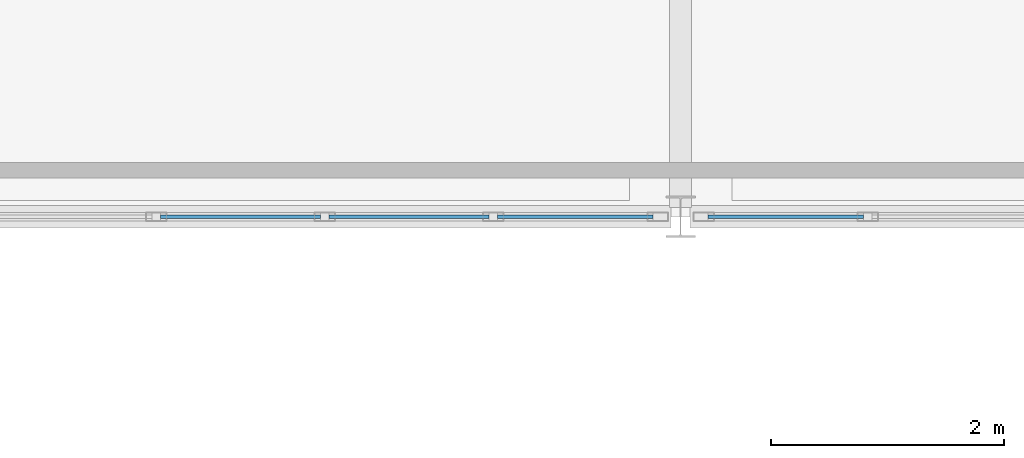
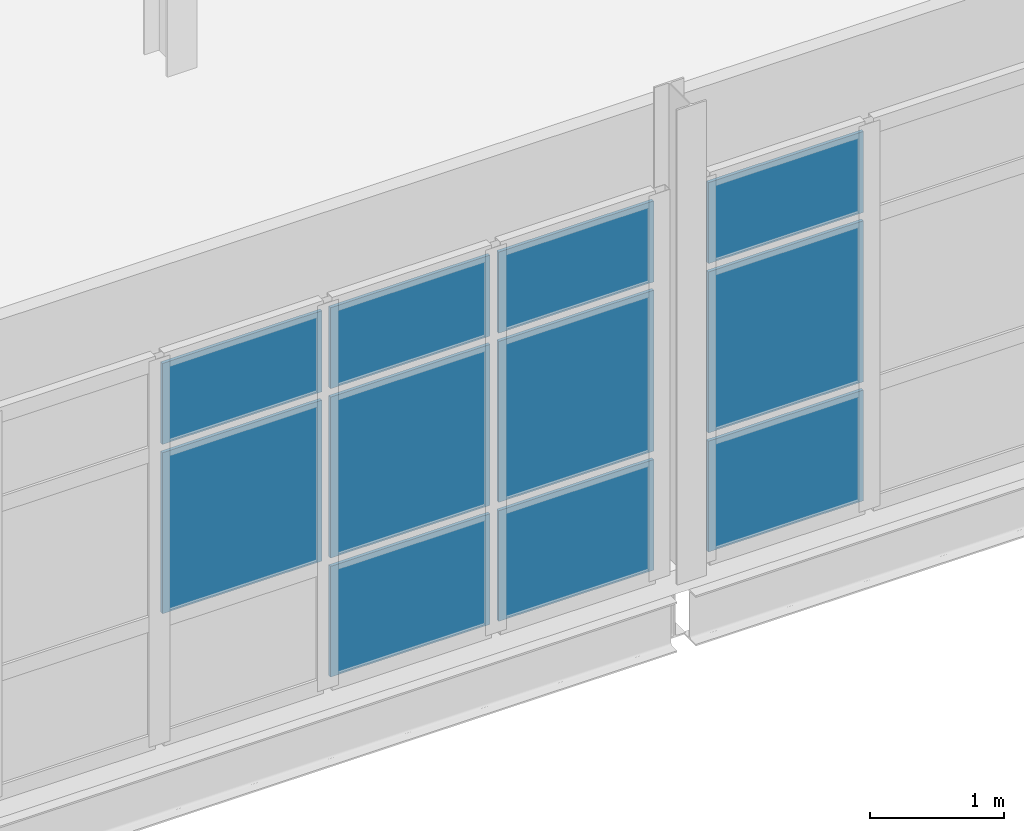
# One storey, part 134 of 174: 11 plates, 2 elements without a shape of their own.
"""IFC4 building model written with IfcOpenShell, lengths in metres."""

from ifc_helpers import new_model, si_unit, direction, frame, origin, origin_2d, place, context, subcontext, project, spatial, rectangle, extrude, material, layer, layer_set, type_object, element, aggregate, save


model = new_model("IFC4")

# Units and contexts
model_context = context("Model", 3, precision=1e-05, world=origin(), true_north=direction((0.0, 1.0)))
body_context = subcontext(model_context, "Body", "Model", "MODEL_VIEW")
ifc_project = project(units=[si_unit("LENGTHUNIT", "METRE"), si_unit("AREAUNIT", "SQUARE_METRE"), si_unit("VOLUMEUNIT", "CUBIC_METRE"), si_unit("PLANEANGLEUNIT", "RADIAN"), si_unit("MASSUNIT", "GRAM", prefix="KILO")], contexts=[model_context])

# Site, building, storey
site_placement = place(None, origin())
site = spatial("IfcSite", under=ifc_project, at=site_placement, CompositionType="ELEMENT")
building_placement = place(site_placement, origin())
building = spatial("IfcBuilding", under=site, at=building_placement, Name="Caisbarro Railhouse Central Library", CompositionType="ELEMENT")
storey_placement = place(building_placement, frame((0.0, 0.0, 5.0400390625)))
storey = spatial("IfcBuildingStorey", under=building, at=storey_placement, Name="L01", CompositionType="ELEMENT", Elevation=5.0400390625)

# Curtain wall, plates
ifc_material_1 = material(Name="Anodised architectural aluminium", Category="aluminium")
curtain_wall_type = type_object("IfcCurtainWallType", Name="CW-CW02", PredefinedType="NOTDEFINED", material=ifc_material_1)
curtain_wall_1_placement = place(storey_placement, origin())
curtain_wall_1 = element("IfcCurtainWall", 1, at=curtain_wall_1_placement, inside=storey, type_object=curtain_wall_type, Name="CW02 curtain wall L01 #117", PredefinedType="NOTDEFINED")
ifc_material_2 = material(Name="Double low-e laminated solar-control glass", Category="glass")
ifc_layer = layer(ifc_material_2, 0.028076171875, Name="Double low-e laminated solar-control glass")
ifc_layer_set = layer_set([ifc_layer], Name="Double low-e laminated solar-control glass")
plate_type = type_object("IfcPlateType", Name="CWP-CP28", PredefinedType="CURTAIN_PANEL", material=ifc_layer_set)
plate_1_placement = place(storey_placement, frame((122.223388671875, 60.800048828125, 1.1572265625), z_axis=(0.0, 0.0, 1.0), x_axis=(1.0, 0.0, 0.0)))
plate_1 = element("IfcPlate", 2, at=plate_1_placement, type_object=plate_type, Name="CW02 panel 4.2", PredefinedType="CURTAIN_PANEL", context=body_context, shape_type="SweptSolid", body=[
    extrude(rectangle(XDim=1.37158203125, YDim=0.028076171875, at=origin_2d()), origin(), (0.0, 0.0, 1.0), 1.465087890625),
])
plate_2_placement = place(storey_placement, frame((122.223388671875, 60.800048828125, 2.697265625), z_axis=(0.0, 0.0, 1.0), x_axis=(1.0, 0.0, 0.0)))
plate_2 = element("IfcPlate", 3, at=plate_2_placement, type_object=plate_type, Name="CW02 panel 4.3", PredefinedType="CURTAIN_PANEL", context=body_context, shape_type="SweptSolid", body=[
    extrude(rectangle(XDim=1.37158203125, YDim=0.028076171875, at=origin_2d()), origin(), (0.0, 0.0, 1.0), 0.737548828125),
])
plate_3_placement = place(storey_placement, frame((123.669921875, 60.800048828125, 0.07470703125), z_axis=(0.0, 0.0, 1.0), x_axis=(1.0, 0.0, 0.0)))
plate_3 = element("IfcPlate", 4, at=plate_3_placement, type_object=plate_type, Name="CW02 panel 5.1", PredefinedType="CURTAIN_PANEL", context=body_context, shape_type="SweptSolid", body=[
    extrude(rectangle(XDim=1.37158203125, YDim=0.028076171875, at=origin_2d()), origin(), (0.0, 0.0, 1.0), 1.007568359375),
])
plate_4_placement = place(storey_placement, frame((123.669921875, 60.800048828125, 1.1572265625), z_axis=(0.0, 0.0, 1.0), x_axis=(1.0, 0.0, 0.0)))
plate_4 = element("IfcPlate", 5, at=plate_4_placement, type_object=plate_type, Name="CW02 panel 5.2", PredefinedType="CURTAIN_PANEL", context=body_context, shape_type="SweptSolid", body=[
    extrude(rectangle(XDim=1.37158203125, YDim=0.028076171875, at=origin_2d()), origin(), (0.0, 0.0, 1.0), 1.465087890625),
])
plate_5_placement = place(storey_placement, frame((123.669921875, 60.800048828125, 2.697265625), z_axis=(0.0, 0.0, 1.0), x_axis=(1.0, 0.0, 0.0)))
plate_5 = element("IfcPlate", 6, at=plate_5_placement, type_object=plate_type, Name="CW02 panel 5.3", PredefinedType="CURTAIN_PANEL", context=body_context, shape_type="SweptSolid", body=[
    extrude(rectangle(XDim=1.37158203125, YDim=0.028076171875, at=origin_2d()), origin(), (0.0, 0.0, 1.0), 0.737548828125),
])
plate_6_placement = place(storey_placement, frame((125.097900390625, 60.800048828125, 0.07470703125), z_axis=(0.0, 0.0, 1.0), x_axis=(1.0, 0.0, 0.0)))
plate_6 = element("IfcPlate", 7, at=plate_6_placement, type_object=plate_type, Name="CW02 panel 6.1", PredefinedType="CURTAIN_PANEL", context=body_context, shape_type="SweptSolid", body=[
    extrude(rectangle(XDim=1.334228515625, YDim=0.028076171875, at=origin_2d()), origin(), (0.0, 0.0, 1.0), 1.007568359375),
])
plate_7_placement = place(storey_placement, frame((125.097900390625, 60.800048828125, 1.1572265625), z_axis=(0.0, 0.0, 1.0), x_axis=(1.0, 0.0, 0.0)))
plate_7 = element("IfcPlate", 8, at=plate_7_placement, type_object=plate_type, Name="CW02 panel 6.2", PredefinedType="CURTAIN_PANEL", context=body_context, shape_type="SweptSolid", body=[
    extrude(rectangle(XDim=1.334228515625, YDim=0.028076171875, at=origin_2d()), origin(), (0.0, 0.0, 1.0), 1.465087890625),
])
plate_8_placement = place(storey_placement, frame((125.097900390625, 60.800048828125, 2.697265625), z_axis=(0.0, 0.0, 1.0), x_axis=(1.0, 0.0, 0.0)))
plate_8 = element("IfcPlate", 9, at=plate_8_placement, type_object=plate_type, Name="CW02 panel 6.3", PredefinedType="CURTAIN_PANEL", context=body_context, shape_type="SweptSolid", body=[
    extrude(rectangle(XDim=1.334228515625, YDim=0.028076171875, at=origin_2d()), origin(), (0.0, 0.0, 1.0), 0.737548828125),
])
aggregate(curtain_wall_1, [plate_1, plate_2, plate_3, plate_4, plate_5, plate_6, plate_7, plate_8])

curtain_wall_2_placement = place(storey_placement, origin())
curtain_wall_2 = element("IfcCurtainWall", 10, at=curtain_wall_2_placement, inside=storey, type_object=curtain_wall_type, Name="CW02 curtain wall L01 #118", PredefinedType="NOTDEFINED")
plate_9_placement = place(storey_placement, frame((126.902099609375, 60.800048828125, 0.07470703125), z_axis=(0.0, 0.0, 1.0), x_axis=(1.0, 0.0, 0.0)))
plate_9 = element("IfcPlate", 11, at=plate_9_placement, type_object=plate_type, Name="CW02 panel 1.1", PredefinedType="CURTAIN_PANEL", context=body_context, shape_type="SweptSolid", body=[
    extrude(rectangle(XDim=1.334228515625, YDim=0.028076171875, at=origin_2d()), origin(), (0.0, 0.0, 1.0), 1.007568359375),
])
plate_10_placement = place(storey_placement, frame((126.902099609375, 60.800048828125, 1.1572265625), z_axis=(0.0, 0.0, 1.0), x_axis=(1.0, 0.0, 0.0)))
plate_10 = element("IfcPlate", 12, at=plate_10_placement, type_object=plate_type, Name="CW02 panel 1.2", PredefinedType="CURTAIN_PANEL", context=body_context, shape_type="SweptSolid", body=[
    extrude(rectangle(XDim=1.334228515625, YDim=0.028076171875, at=origin_2d()), origin(), (0.0, 0.0, 1.0), 1.465087890625),
])
plate_11_placement = place(storey_placement, frame((126.902099609375, 60.800048828125, 2.697265625), z_axis=(0.0, 0.0, 1.0), x_axis=(1.0, 0.0, 0.0)))
plate_11 = element("IfcPlate", 13, at=plate_11_placement, type_object=plate_type, Name="CW02 panel 1.3", PredefinedType="CURTAIN_PANEL", context=body_context, shape_type="SweptSolid", body=[
    extrude(rectangle(XDim=1.334228515625, YDim=0.028076171875, at=origin_2d()), origin(), (0.0, 0.0, 1.0), 0.737548828125),
])
aggregate(curtain_wall_2, [plate_9, plate_10, plate_11])

save(model, "model.ifc")
